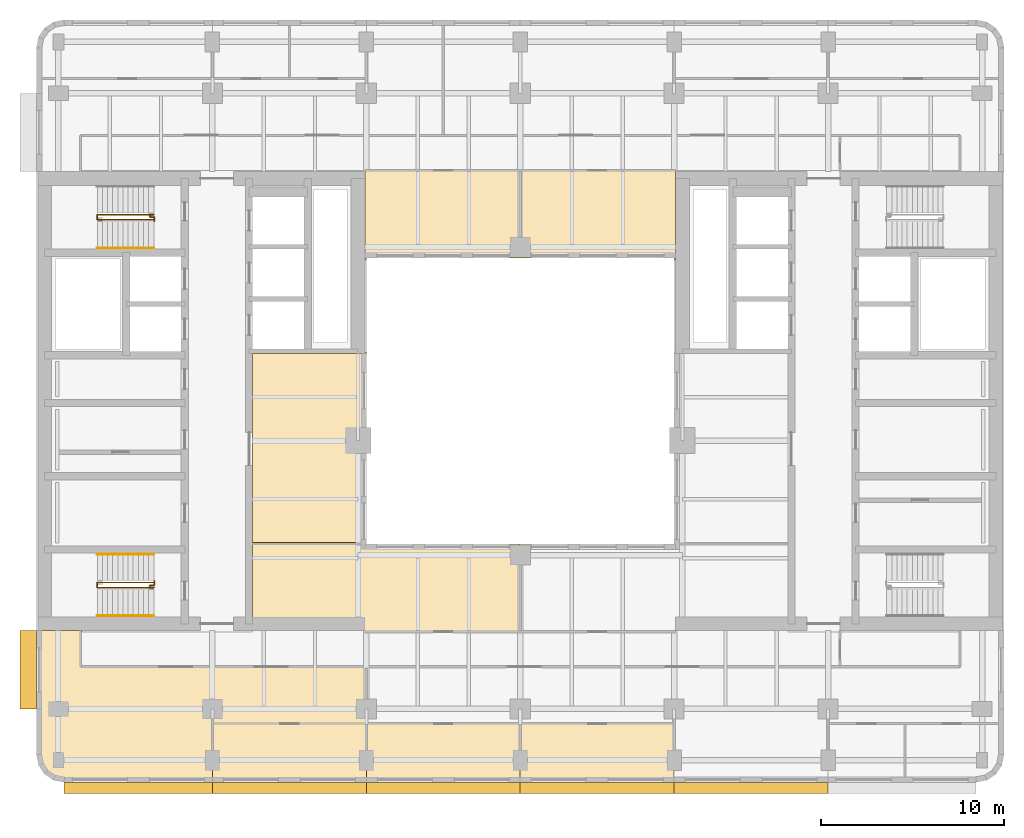
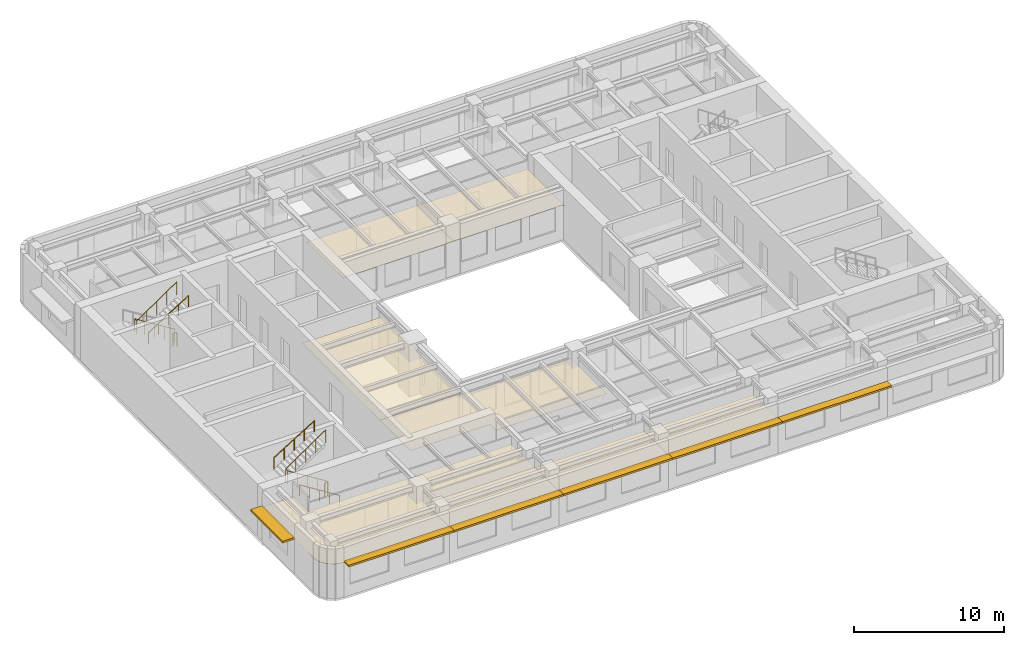
# One storey, part 9 of 11: 8 coverings, 7 railings, 6 shading devices.
"""IFC4 building model written with IfcOpenShell, lengths in metres."""

from ifc_helpers import new_model, si_unit, direction, frame, origin, origin_2d, place, context, subcontext, project, spatial, polyline, rectangle, circle, outline, extrude, material, layer, layer_set, type_object, element, save


model = new_model("IFC4")

# Units and contexts
model_context = context("Model", 3, precision=1e-05, world=origin(), true_north=direction((0.0, 1.0)))
body_context = subcontext(model_context, "Body", "Model", "MODEL_VIEW")
ifc_project = project(units=[si_unit("LENGTHUNIT", "METRE"), si_unit("AREAUNIT", "SQUARE_METRE"), si_unit("VOLUMEUNIT", "CUBIC_METRE"), si_unit("PLANEANGLEUNIT", "RADIAN"), si_unit("MASSUNIT", "GRAM", prefix="KILO")], contexts=[model_context])

# Site, building, storey
site_placement = place(None, origin())
site = spatial("IfcSite", under=ifc_project, at=site_placement, CompositionType="ELEMENT")
building_placement = place(site_placement, origin())
building = spatial("IfcBuilding", under=site, at=building_placement, Name="Claustro Exchange Tower", CompositionType="ELEMENT")
storey_placement = place(building_placement, frame((0.0, 0.0, 215.39990234375)))
storey = spatial("IfcBuildingStorey", under=building, at=storey_placement, Name="L49", CompositionType="ELEMENT", Elevation=215.39990234375)

# Coverings
ifc_material_1 = material(Name="Perforated metal ceiling tiles", Category="steel")
ifc_layer_1 = layer(ifc_material_1, 0.030029296875)
ifc_layer_set_1 = layer_set([ifc_layer_1], Name="Perforated metal ceiling tiles")
covering_type_1 = type_object("IfcCoveringType", Name="CL1 suspended metal ceiling", PredefinedType="CEILING", material=ifc_layer_set_1)
covering_1_placement = place(storey_placement, frame((0.0, 0.0, 2.800048828125)))
element("IfcCovering", 1, at=covering_1_placement, inside=storey, type_object=covering_type_1, Name="Ceiling CL1 L49-06", PredefinedType="CEILING", context=body_context, shape_type="SweptSolid", body=[
    extrude(outline(polyline([(-1.199951171875, 12.695068359375), (-1.199951171875, 5.89990234375), (-1.085693359375, 5.325927734375), (-0.7607421875, 4.83935546875), (-0.27392578125, 4.51416015625), (0.300048828125, 4.39990234375), (8.39990234375, 4.39990234375), (8.39990234375, 7.60009765625), (16.800048828125, 7.60009765625), (16.800048828125, 10.699951171875), (1.199951171875, 10.699951171875), (1.199951171875, 12.60009765625), (1.294921875, 12.60009765625), (1.294921875, 12.675048828125), (-1.125, 12.675048828125), (-1.125, 12.695068359375), (-1.199951171875, 12.695068359375)])), origin(), (0.0, 0.0, 1.0), 0.030029296875),
])
ifc_material_2 = material(Name="Gypsum board ceiling", Category="gypsum board")
ifc_layer_2 = layer(ifc_material_2, 0.02490234375)
ifc_layer_set_2 = layer_set([ifc_layer_2], Name="Gypsum board ceiling")
covering_type_2 = type_object("IfcCoveringType", Name="CL2 plasterboard ceiling", PredefinedType="CEILING", material=ifc_layer_set_2)
covering_2_placement = place(storey_placement, frame((0.0, 0.0, 2.800048828125)))
element("IfcCovering", 2, at=covering_2_placement, inside=storey, type_object=covering_type_2, Name="Ceiling CL2 L49-01", PredefinedType="CEILING", context=body_context, shape_type="SweptSolid", body=[
    extrude(outline(polyline([(8.39990234375, 4.39990234375), (16.800048828125, 4.39990234375), (16.800048828125, 7.60009765625), (8.39990234375, 7.60009765625), (8.39990234375, 4.39990234375)])), origin(), (0.0, 0.0, 1.0), 0.025146484375),
])
covering_3_placement = place(storey_placement, frame((0.0, 0.0, 2.800048828125)))
element("IfcCovering", 3, at=covering_3_placement, inside=storey, type_object=covering_type_2, Name="Ceiling CL2 L49-02", PredefinedType="CEILING", context=body_context, shape_type="SweptSolid", body=[
    extrude(outline(polyline([(16.800048828125, 4.39990234375), (25.199951171875, 4.39990234375), (25.199951171875, 7.60009765625), (16.800048828125, 7.60009765625), (16.800048828125, 4.39990234375)])), origin(), (0.0, 0.0, 1.0), 0.025146484375),
])
covering_4_placement = place(storey_placement, frame((0.0, 0.0, 2.800048828125)))
element("IfcCovering", 4, at=covering_4_placement, inside=storey, type_object=covering_type_2, Name="Ceiling CL2 L49-03", PredefinedType="CEILING", context=body_context, shape_type="SweptSolid", body=[
    extrude(outline(polyline([(25.199951171875, 4.39990234375), (33.60009765625, 4.39990234375), (33.60009765625, 7.60009765625), (25.199951171875, 7.60009765625), (25.199951171875, 4.39990234375)])), origin(), (0.0, 0.0, 1.0), 0.025146484375),
])
covering_5_placement = place(storey_placement, frame((0.0, 0.0, 2.800048828125)))
element("IfcCovering", 5, at=covering_5_placement, inside=storey, type_object=covering_type_2, Name="Ceiling CL2 L49-10", PredefinedType="CEILING", context=body_context, shape_type="SweptSolid", body=[
    extrude(outline(polyline([(25.199951171875, 17.39990234375), (16.800048828125, 17.39990234375), (16.800048828125, 17.4951171875), (10.60009765625, 17.4951171875), (10.60009765625, 13.405029296875), (16.705078125, 13.405029296875), (16.705078125, 12.60009765625), (25.199951171875, 12.60009765625), (25.199951171875, 17.39990234375)])), origin(), (0.0, 0.0, 1.0), 0.025146484375),
])
covering_6_placement = place(storey_placement, frame((0.0, 0.0, 2.800048828125)))
element("IfcCovering", 6, at=covering_6_placement, inside=storey, type_object=covering_type_2, Name="Ceiling CL2 L49-12", PredefinedType="CEILING", context=body_context, shape_type="SweptSolid", body=[
    extrude(outline(polyline([(10.60009765625, 27.800048828125), (10.60009765625, 17.304931640625), (16.800048828125, 17.304931640625), (16.800048828125, 27.89501953125), (16.72509765625, 27.89501953125), (16.72509765625, 27.800048828125), (10.60009765625, 27.800048828125)])), origin(), (0.0, 0.0, 1.0), 0.025146484375),
])
covering_7_placement = place(storey_placement, frame((0.0, 0.0, 2.800048828125)))
element("IfcCovering", 7, at=covering_7_placement, inside=storey, type_object=covering_type_2, Name="Ceiling CL2 L49-14", PredefinedType="CEILING", context=body_context, shape_type="SweptSolid", body=[
    extrude(outline(polyline([(25.199951171875, 37.800048828125), (16.705078125, 37.800048828125), (16.705078125, 37.72509765625), (16.72509765625, 37.72509765625), (16.72509765625, 32.905029296875), (16.800048828125, 32.905029296875), (16.800048828125, 33.0), (25.199951171875, 33.0), (25.199951171875, 37.800048828125)])), origin(), (0.0, 0.0, 1.0), 0.025146484375),
])
covering_8_placement = place(storey_placement, frame((0.0, 0.0, 2.800048828125)))
element("IfcCovering", 8, at=covering_8_placement, inside=storey, type_object=covering_type_2, Name="Ceiling CL2 L49-15", PredefinedType="CEILING", context=body_context, shape_type="SweptSolid", body=[
    extrude(outline(polyline([(33.60009765625, 33.0), (33.60009765625, 32.905029296875), (33.675048828125, 32.905029296875), (33.675048828125, 37.72509765625), (33.695068359375, 37.72509765625), (33.695068359375, 37.800048828125), (25.199951171875, 37.800048828125), (25.199951171875, 33.0), (33.60009765625, 33.0)])), origin(), (0.0, 0.0, 1.0), 0.025146484375),
])

# Railings
ifc_material_3 = material(Name="Steel balustrade, painted", Category="steel")
railing_type_1 = type_object("IfcRailingType", Name="GR2 1100 steel stair guard", PredefinedType="GUARDRAIL", material=ifc_material_3)
railing_1_placement = place(storey_placement, frame((5.199951171875, 15.02490234375, 0.175048828125)))
element("IfcRailing", 9, at=railing_1_placement, inside=storey, type_object=railing_type_1, Name="Stair well guard GR2 stair STWA L49", PredefinedType="GUARDRAIL", context=body_context, shape_type="SweptSolid", body=[
    extrude(circle(Radius=0.02392578125, at=origin_2d()), frame((0.0, 0.0, 1.076171875), z_axis=(-0.847979421464, 0.0, 0.530029150871), x_axis=(0.0, -1.0, 0.0)), (0.0, 0.0, 1.0), 3.632080078125),
    extrude(circle(Radius=0.02392578125, at=origin_2d()), frame((-3.079833984375, 0.0, 3.0009765625), z_axis=(0.0, 1.0, 0.0), x_axis=(-1.0, 0.0, 0.0)), (0.0, 0.0, 1.0), 0.275146484375),
    extrude(circle(Radius=0.02392578125, at=origin_2d()), frame((-3.079833984375, 0.275146484375, 3.0009765625), z_axis=(0.826201015165, 0.0, 0.563375436579), x_axis=(0.0, 1.0, 0.0)), (0.0, 0.0, 1.0), 3.727783203125),
    extrude(circle(Radius=0.02099609375, at=origin_2d()), origin(), (0.0, 0.0, 1.0), 1.052001953125),
    extrude(circle(Radius=0.02099609375, at=origin_2d()), frame((-0.77001953125, 0.0, 0.481201171875)), (0.0, 0.0, 1.0), 1.052001953125),
    extrude(circle(Radius=0.02099609375, at=origin_2d()), frame((-1.5400390625, 0.0, 0.96240234375)), (0.0, 0.0, 1.0), 1.052001953125),
    extrude(circle(Radius=0.02099609375, at=origin_2d()), frame((-2.309814453125, 0.0, 1.44384765625)), (0.0, 0.0, 1.0), 1.052001953125),
    extrude(circle(Radius=0.02099609375, at=origin_2d()), frame((-3.079833984375, 0.0, 1.925048828125)), (0.0, 0.0, 1.0), 1.052001953125),
    extrude(circle(Radius=0.02099609375, at=origin_2d()), frame((-3.079833984375, 0.275146484375, 1.925048828125)), (0.0, 0.0, 1.0), 1.052001953125),
    extrude(circle(Radius=0.02099609375, at=origin_2d()), frame((-2.309814453125, 0.275146484375, 2.4501953125)), (0.0, 0.0, 1.0), 1.052001953125),
    extrude(circle(Radius=0.02099609375, at=origin_2d()), frame((-1.5400390625, 0.275146484375, 2.97509765625)), (0.0, 0.0, 1.0), 1.052001953125),
    extrude(circle(Radius=0.02099609375, at=origin_2d()), frame((-0.77001953125, 0.275146484375, 3.5)), (0.0, 0.0, 1.0), 1.052001953125),
    extrude(circle(Radius=0.02099609375, at=origin_2d()), frame((0.0, 0.275146484375, 4.025146484375)), (0.0, 0.0, 1.0), 1.052001953125),
])
railing_2_placement = place(storey_placement, frame((5.0, 15.094970703125, 0.0)))
element("IfcRailing", 10, at=railing_2_placement, inside=storey, type_object=railing_type_1, Name="Stair guard GR2 STWA L49", PredefinedType="GUARDRAIL", context=body_context, shape_type="SweptSolid", body=[
    extrude(circle(Radius=0.02392578125, at=origin_2d()), frame((0.0, 0.0, 1.076171875), z_axis=(0.0, 1.0, 0.0), x_axis=(-1.0, 0.0, 0.0)), (0.0, 0.0, 1.0), 0.067626953125),
    extrude(circle(Radius=0.02392578125, at=origin_2d()), frame((0.0, 0.067626953125, 1.076171875), z_axis=(1.0, 0.0, 0.0), x_axis=(0.0, 1.0, 0.0)), (0.0, 0.0, 1.0), 0.22509765625),
    extrude(circle(Radius=0.02392578125, at=origin_2d()), frame((0.22509765625, 0.067626953125, 1.076171875), z_axis=(0.0, 1.0, 0.0), x_axis=(-1.0, 0.0, 0.0)), (0.0, 0.0, 1.0), 0.21728515625),
    extrude(circle(Radius=0.02099609375, at=origin_2d()), origin(), (0.0, 0.0, 1.0), 1.052001953125),
    extrude(circle(Radius=0.02099609375, at=origin_2d()), frame((0.0, 0.067626953125, 0.0)), (0.0, 0.0, 1.0), 1.052001953125),
    extrude(circle(Radius=0.02099609375, at=origin_2d()), frame((0.22509765625, 0.067626953125, 0.0)), (0.0, 0.0, 1.0), 1.052001953125),
    extrude(circle(Radius=0.02099609375, at=origin_2d()), frame((0.22509765625, 0.284912109375, 0.0)), (0.0, 0.0, 1.0), 1.052001953125),
])
railing_3_placement = place(storey_placement, frame((5.199951171875, 35.375, 0.175048828125)))
element("IfcRailing", 11, at=railing_3_placement, inside=storey, type_object=railing_type_1, Name="Stair well guard GR2 stair STWB L49", PredefinedType="GUARDRAIL", context=body_context, shape_type="SweptSolid", body=[
    extrude(circle(Radius=0.02392578125, at=origin_2d()), frame((0.0, 0.0, 1.076171875), z_axis=(-0.847979421464, 0.0, 0.530029150871), x_axis=(0.0, -1.0, 0.0)), (0.0, 0.0, 1.0), 3.632080078125),
    extrude(circle(Radius=0.02392578125, at=origin_2d()), frame((-3.079833984375, 0.0, 3.0009765625), z_axis=(0.0, -1.0, 0.0), x_axis=(1.0, 0.0, 0.0)), (0.0, 0.0, 1.0), 0.27490234375),
    extrude(circle(Radius=0.02392578125, at=origin_2d()), frame((-3.079833984375, -0.27490234375, 3.0009765625), z_axis=(0.826201015165, 0.0, 0.563375436579), x_axis=(0.0, 1.0, 0.0)), (0.0, 0.0, 1.0), 3.727783203125),
    extrude(circle(Radius=0.02099609375, at=origin_2d()), origin(), (0.0, 0.0, 1.0), 1.052001953125),
    extrude(circle(Radius=0.02099609375, at=origin_2d()), frame((-0.77001953125, 0.0, 0.481201171875)), (0.0, 0.0, 1.0), 1.052001953125),
    extrude(circle(Radius=0.02099609375, at=origin_2d()), frame((-1.5400390625, 0.0, 0.96240234375)), (0.0, 0.0, 1.0), 1.052001953125),
    extrude(circle(Radius=0.02099609375, at=origin_2d()), frame((-2.309814453125, 0.0, 1.44384765625)), (0.0, 0.0, 1.0), 1.052001953125),
    extrude(circle(Radius=0.02099609375, at=origin_2d()), frame((-3.079833984375, 0.0, 1.925048828125)), (0.0, 0.0, 1.0), 1.052001953125),
    extrude(circle(Radius=0.02099609375, at=origin_2d()), frame((-3.079833984375, -0.27490234375, 1.925048828125)), (0.0, 0.0, 1.0), 1.052001953125),
    extrude(circle(Radius=0.02099609375, at=origin_2d()), frame((-2.309814453125, -0.27490234375, 2.4501953125)), (0.0, 0.0, 1.0), 1.052001953125),
    extrude(circle(Radius=0.02099609375, at=origin_2d()), frame((-1.5400390625, -0.27490234375, 2.97509765625)), (0.0, 0.0, 1.0), 1.052001953125),
    extrude(circle(Radius=0.02099609375, at=origin_2d()), frame((-0.77001953125, -0.27490234375, 3.5)), (0.0, 0.0, 1.0), 1.052001953125),
    extrude(circle(Radius=0.02099609375, at=origin_2d()), frame((0.0, -0.27490234375, 4.025146484375)), (0.0, 0.0, 1.0), 1.052001953125),
])
railing_4_placement = place(storey_placement, frame((5.0, 35.304931640625, 0.0)))
element("IfcRailing", 12, at=railing_4_placement, inside=storey, type_object=railing_type_1, Name="Stair guard GR2 STWB L49", PredefinedType="GUARDRAIL", context=body_context, shape_type="SweptSolid", body=[
    extrude(circle(Radius=0.02392578125, at=origin_2d()), frame((0.0, 0.0, 1.076171875), z_axis=(0.0, -1.0, 0.0), x_axis=(1.0, 0.0, 0.0)), (0.0, 0.0, 1.0), 0.0673828125),
    extrude(circle(Radius=0.02392578125, at=origin_2d()), frame((0.0, -0.0673828125, 1.076171875), z_axis=(1.0, 0.0, 0.0), x_axis=(0.0, 1.0, 0.0)), (0.0, 0.0, 1.0), 0.22509765625),
    extrude(circle(Radius=0.02392578125, at=origin_2d()), frame((0.22509765625, -0.0673828125, 1.076171875), z_axis=(0.0, -1.0, 0.0), x_axis=(1.0, 0.0, 0.0)), (0.0, 0.0, 1.0), 0.217529296875),
    extrude(circle(Radius=0.02099609375, at=origin_2d()), origin(), (0.0, 0.0, 1.0), 1.052001953125),
    extrude(circle(Radius=0.02099609375, at=origin_2d()), frame((0.0, -0.0673828125, 0.0)), (0.0, 0.0, 1.0), 1.052001953125),
    extrude(circle(Radius=0.02099609375, at=origin_2d()), frame((0.22509765625, -0.0673828125, 0.0)), (0.0, 0.0, 1.0), 1.052001953125),
    extrude(circle(Radius=0.02099609375, at=origin_2d()), frame((0.22509765625, -0.284912109375, 0.0)), (0.0, 0.0, 1.0), 1.052001953125),
])
ifc_material_4 = material(Name="Stainless steel tube", Category="steel")
railing_type_2 = type_object("IfcRailingType", Name="HR1 900 stair handrail", PredefinedType="HANDRAIL", material=ifc_material_4)
railing_5_placement = place(storey_placement, frame((5.199951171875, 13.485107421875, 0.175048828125)))
element("IfcRailing", 13, at=railing_5_placement, inside=storey, type_object=railing_type_2, Name="Handrail HR1 stair STWA L49", PredefinedType="HANDRAIL", context=body_context, shape_type="SweptSolid", body=[
    extrude(circle(Radius=0.02392578125, at=origin_2d()), frame((0.0, 0.0, 0.8759765625), z_axis=(-0.847979421464, 0.0, 0.530029150871), x_axis=(0.0, -1.0, 0.0)), (0.0, 0.0, 1.0), 3.632080078125),
    extrude(circle(Radius=0.02099609375, at=origin_2d()), origin(), (0.0, 0.0, 1.0), 0.851806640625),
    extrude(circle(Radius=0.02099609375, at=origin_2d()), frame((-0.77001953125, 0.0, 0.481201171875)), (0.0, 0.0, 1.0), 0.851806640625),
    extrude(circle(Radius=0.02099609375, at=origin_2d()), frame((-1.5400390625, 0.0, 0.96240234375)), (0.0, 0.0, 1.0), 0.851806640625),
    extrude(circle(Radius=0.02099609375, at=origin_2d()), frame((-2.309814453125, 0.0, 1.44384765625)), (0.0, 0.0, 1.0), 0.851806640625),
    extrude(circle(Radius=0.02099609375, at=origin_2d()), frame((-3.079833984375, 0.0, 1.925048828125)), (0.0, 0.0, 1.0), 0.851806640625),
])
for number, where, name in (
    (14, (2.1201171875, 16.840087890625, 2.275146484375), "Handrail HR1 stair STWA L49"),
    (15, (2.1201171875, 33.56005859375, 2.275146484375), "Handrail HR1 stair STWB L49"),
):
    element("IfcRailing", number, at=place(storey_placement, frame(where)), inside=storey, type_object=railing_type_2, Name=name, PredefinedType="HANDRAIL", context=body_context, shape_type="SweptSolid", body=[
        extrude(circle(Radius=0.02392578125, at=origin_2d()), frame((0.0, 0.0, 0.8759765625), z_axis=(0.847979421464, 0.0, 0.530029150871), x_axis=(0.0, 1.0, 0.0)), (0.0, 0.0, 1.0), 3.632080078125),
        extrude(circle(Radius=0.02099609375, at=origin_2d()), origin(), (0.0, 0.0, 1.0), 0.851806640625),
        extrude(circle(Radius=0.02099609375, at=origin_2d()), frame((0.77001953125, 0.0, 0.481201171875)), (0.0, 0.0, 1.0), 0.851806640625),
        extrude(circle(Radius=0.02099609375, at=origin_2d()), frame((1.5400390625, 0.0, 0.96240234375)), (0.0, 0.0, 1.0), 0.851806640625),
        extrude(circle(Radius=0.02099609375, at=origin_2d()), frame((2.309814453125, 0.0, 1.44384765625)), (0.0, 0.0, 1.0), 0.851806640625),
        extrude(circle(Radius=0.02099609375, at=origin_2d()), frame((3.079833984375, 0.0, 1.925048828125)), (0.0, 0.0, 1.0), 0.851806640625),
    ])

# Shading devices
ifc_material_5 = material(Name="Concrete HA-40 (C40/50), precast, white cement, acid-etched", Category="concrete")
ifc_layer_3 = layer(ifc_material_5, 0.14990234375)
ifc_layer_set_3 = layer_set([ifc_layer_3], Name="Concrete HA-40 (C40/50), precast, white cement, acid-etched")
shading_device_type_1 = type_object("IfcShadingDeviceType", Name="SS1 600 precast concrete SUNSHADE", PredefinedType="SHUTTER", material=ifc_layer_set_3)
for number, where, z_axis, x_axis, name in (
    (16, (37.800048828125, 4.10009765625, 2.800048828125), (0.0, 0.0, 1.0), (-1.0, 0.0, 0.0), "Precast SUNSHADE SS1 L49"),
    (17, (29.39990234375, 4.10009765625, 2.800048828125), (0.0, 0.0, 1.0), (-1.0, 0.0, 0.0), "Precast SUNSHADE SS1 L49"),
    (18, (21.0, 4.10009765625, 2.800048828125), (0.0, 0.0, 1.0), (-1.0, 0.0, 0.0), "Precast SUNSHADE SS1 L49"),
    (19, (12.60009765625, 4.10009765625, 2.800048828125), (0.0, 0.0, 1.0), (-1.0, 0.0, 0.0), "Precast SUNSHADE SS1 L49"),
):
    element("IfcShadingDevice", number, at=place(storey_placement, frame(where, z_axis=z_axis, x_axis=x_axis)), inside=storey, type_object=shading_device_type_1, Name=name, PredefinedType="SHUTTER", context=body_context, shape_type="SweptSolid", body=[
        extrude(rectangle(XDim=8.39990234375, YDim=0.60009765625, at=origin_2d()), origin(), (0.0, 0.0, 1.0), 0.14990234375),
    ])
shading_device_1_placement = place(storey_placement, frame((4.357421875, 4.10009765625, 2.800048828125), z_axis=(0.0, 0.0, 1.0), x_axis=(-1.0, 0.0, 0.0)))
element("IfcShadingDevice", 20, at=shading_device_1_placement, inside=storey, type_object=shading_device_type_1, Name="Precast SUNSHADE SS1 L49", PredefinedType="SHUTTER", context=body_context, shape_type="SweptSolid", body=[
    extrude(rectangle(XDim=8.085205078125, YDim=0.60009765625, at=origin_2d()), origin(), (0.0, 0.0, 1.0), 0.14990234375),
])
ifc_material_6 = material(Name="Concrete HA-40 (C40/50), precast, white cement, acid-etched", Category="concrete")
ifc_layer_4 = layer(ifc_material_6, 0.14990234375)
ifc_layer_set_4 = layer_set([ifc_layer_4], Name="Concrete HA-40 (C40/50), precast, white cement, acid-etched")
shading_device_type_2 = type_object("IfcShadingDeviceType", Name="SS2 900 precast concrete SUNSHADE", PredefinedType="SHUTTER", material=ifc_layer_set_4)
shading_device_2_placement = place(storey_placement, frame((-1.64990234375, 10.53759765625, 2.800048828125), z_axis=(0.0, 0.0, 1.0), x_axis=(0.0, 1.0, 0.0)))
element("IfcShadingDevice", 21, at=shading_device_2_placement, inside=storey, type_object=shading_device_type_2, Name="Precast SUNSHADE SS2 L49", PredefinedType="SHUTTER", context=body_context, shape_type="SweptSolid", body=[
    extrude(rectangle(XDim=4.27490234375, YDim=0.89990234375, at=origin_2d()), origin(), (0.0, 0.0, 1.0), 0.14990234375),
])

save(model, "model.ifc")
